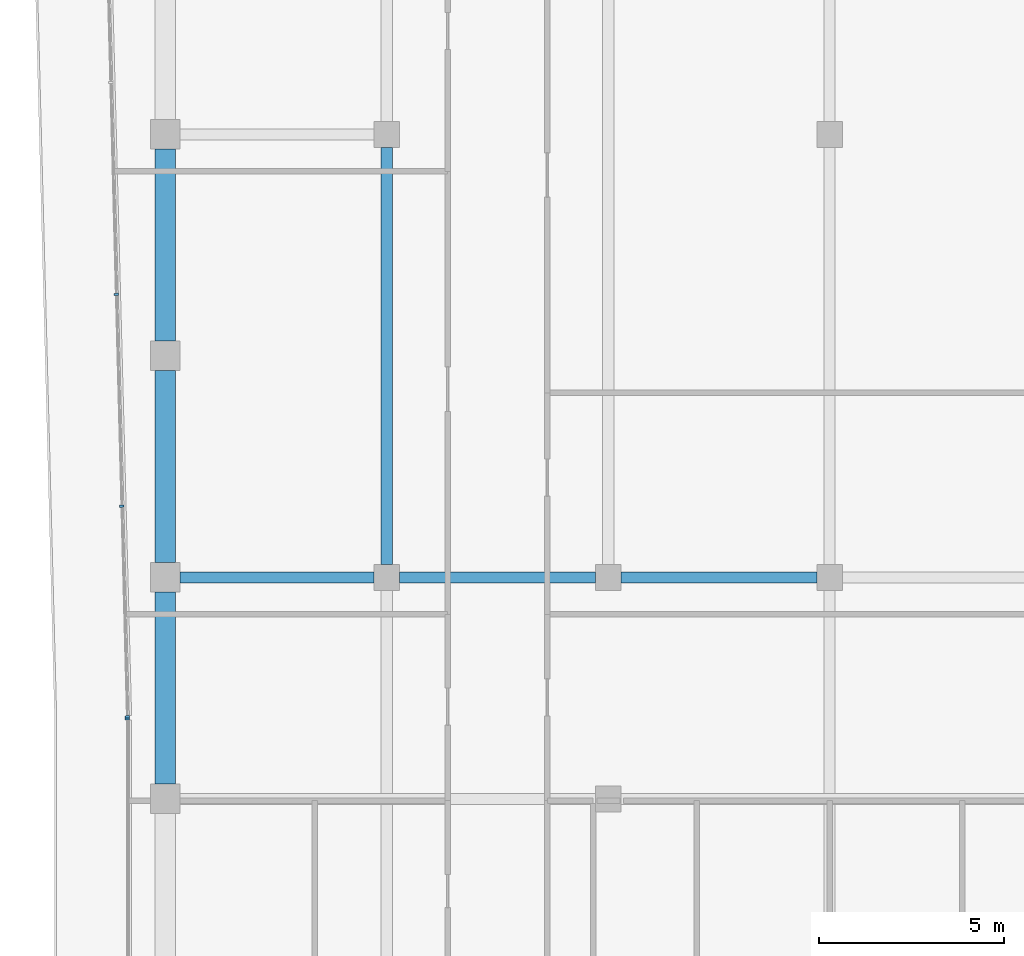
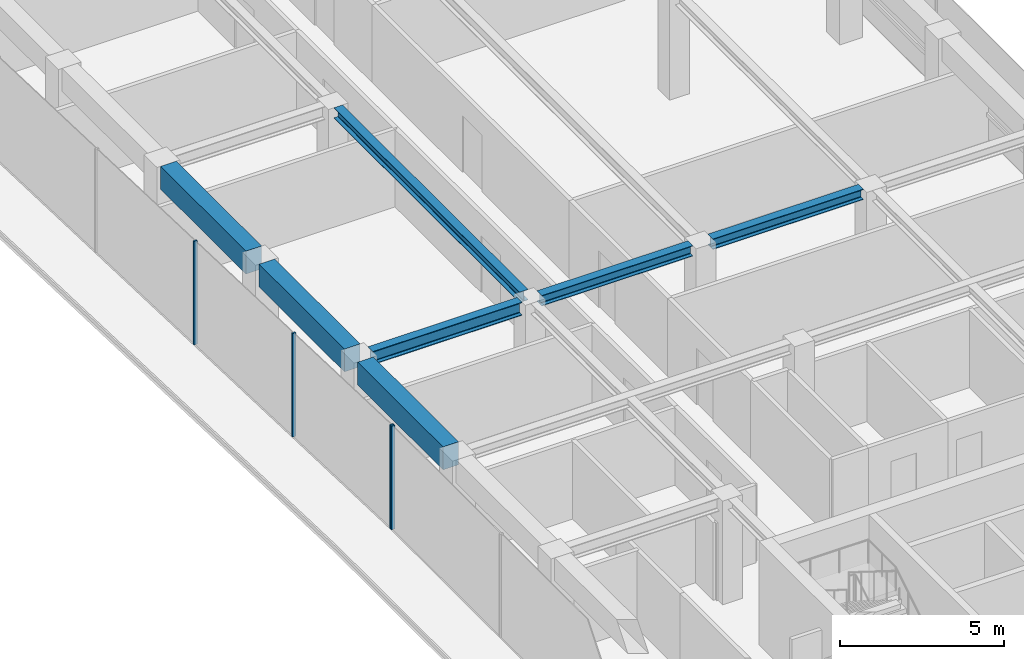
# One storey, part 7 of 20: 7 beams, 4 members, 2 elements without a shape of their own.
"""IFC4 building model written with IfcOpenShell, lengths in metres."""

from ifc_helpers import new_model, si_unit, direction, frame, origin, origin_2d, place, context, subcontext, project, spatial, rectangle, i_section, extrude, material, layer, layer_set, material_profile, profile_set, type_object, element, aggregate, save


model = new_model("IFC4")

# Units and contexts
model_context = context("Model", 3, precision=1e-05, world=origin(), true_north=direction((0.0, 1.0)))
body_context = subcontext(model_context, "Body", "Model", "MODEL_VIEW")
ifc_project = project(units=[si_unit("LENGTHUNIT", "METRE"), si_unit("AREAUNIT", "SQUARE_METRE"), si_unit("VOLUMEUNIT", "CUBIC_METRE"), si_unit("PLANEANGLEUNIT", "RADIAN"), si_unit("MASSUNIT", "GRAM", prefix="KILO")], contexts=[model_context])

# Site, building, storey
site_placement = place(None, origin())
site = spatial("IfcSite", under=ifc_project, at=site_placement, CompositionType="ELEMENT")
building_placement = place(site_placement, origin())
building = spatial("IfcBuilding", under=site, at=building_placement, Name="Welwitschia Terrace Campus", CompositionType="ELEMENT")
storey_placement = place(building_placement, frame((0.0, 0.0, 222.199951171875)))
storey = spatial("IfcBuildingStorey", under=building, at=storey_placement, Name="L49", CompositionType="ELEMENT", Elevation=222.199951171875)

# Beams
ifc_material_1 = material(Name="Steel S355", Category="steel")
ifc_material_profile_1 = material_profile(ifc_material_1, i_section(OverallWidth=0.300048828125, OverallDepth=0.389892578125, WebThickness=0.010986328125, FlangeThickness=0.01904296875, FilletRadius=0.027099609375, at=origin_2d()))
ifc_profile_set_1 = profile_set([ifc_material_profile_1], Name="Steel S355")
beam_type_1 = type_object("IfcBeamType", Name="Interior girder HE 400 A", PredefinedType="BEAM", material=ifc_profile_set_1)
for number, where, z_axis, x_axis, name in (
    (1, (6.3505859375, 40.0, 3.655029296875), (1.0, 0.0, 0.0), (0.0, 1.0, 0.0), "Girder GB5"),
    (2, (12.3505859375, 40.0, 3.655029296875), (1.0, 0.0, 0.0), (0.0, 1.0, 0.0), "Girder GB5"),
):
    element("IfcBeam", number, at=place(storey_placement, frame(where, z_axis=z_axis, x_axis=x_axis)), inside=storey, type_object=beam_type_1, Name=name, PredefinedType="BEAM", context=body_context, shape_type="SweptSolid", body=[
        extrude(i_section(OverallWidth=0.300048828125, OverallDepth=0.389892578125, WebThickness=0.010986328125, FlangeThickness=0.01904296875, FilletRadius=0.027099609375, at=origin_2d()), origin(), (0.0, 0.0, 1.0), 5.298828125),
    ])
beam_1_placement = place(storey_placement, frame((6.0, 40.3505859375, 3.655029296875), z_axis=(0.0, 1.0, 0.0), x_axis=(-1.0, 0.0, 0.0)))
element("IfcBeam", 3, at=beam_1_placement, inside=storey, type_object=beam_type_1, Name="Girder GB5", PredefinedType="BEAM", context=body_context, shape_type="SweptSolid", body=[
    extrude(i_section(OverallWidth=0.300048828125, OverallDepth=0.389892578125, WebThickness=0.010986328125, FlangeThickness=0.01904296875, FilletRadius=0.027099609375, at=origin_2d()), origin(), (0.0, 0.0, 1.0), 11.298828125),
])

# Curtain wall, member
ifc_material_2 = material(Name="Bronze anodised aluminium", Category="aluminium")
ifc_layer = layer(ifc_material_2, 0.1201171875)
ifc_layer_set = layer_set([ifc_layer], Name="Bronze anodised aluminium")
curtain_wall_type = type_object("IfcCurtainWallType", Name="Curtain wall CW2 tower 6000", PredefinedType="NOTDEFINED", material=ifc_layer_set)
curtain_wall_1_placement = place(storey_placement, origin())
curtain_wall_1 = element("IfcCurtainWall", 4, at=curtain_wall_1_placement, inside=storey, type_object=curtain_wall_type, Name="CW L49.0.0", PredefinedType="NOTDEFINED")
ifc_material_3 = material(Name="Bronze anodised aluminium", Category="aluminium")
ifc_material_profile_2 = material_profile(ifc_material_3, rectangle(XDim=0.1201171875, YDim=0.06005859375, at=origin_2d()))
ifc_profile_set_2 = profile_set([ifc_material_profile_2], Name="Bronze anodised aluminium")
member_type = type_object("IfcMemberType", Name="Mullion 60x120", PredefinedType="MULLION", material=ifc_profile_set_2)
member_1_placement = place(storey_placement, frame((-1.030029296875, 36.16162109375, 0.0), z_axis=(0.0, 0.0, 1.0), x_axis=(1.0, 0.0, 0.0)))
member_1 = element("IfcMember", 5, at=member_1_placement, type_object=member_type, Name="Mullion L49.0.0.0", PredefinedType="MULLION", context=body_context, shape_type="SweptSolid", body=[
    extrude(rectangle(XDim=0.1201171875, YDim=0.06005859375, at=origin_2d()), origin(), (0.0, 0.0, 1.0), 3.85009765625),
])
aggregate(curtain_wall_1, [member_1])

# Curtain wall, members
curtain_wall_2_placement = place(storey_placement, origin())
curtain_wall_2 = element("IfcCurtainWall", 6, at=curtain_wall_2_placement, inside=storey, type_object=curtain_wall_type, Name="CW L49.11.0", PredefinedType="NOTDEFINED")
member_2_placement = place(storey_placement, frame((-1.33056640625, 47.666259765625, 0.0), z_axis=(0.0, 0.0, 1.0), x_axis=(0.999657324976, 0.026176948308, 0.0)))
member_2 = element("IfcMember", 7, at=member_2_placement, type_object=member_type, Name="Mullion L49.11.0.4", PredefinedType="MULLION", context=body_context, shape_type="SweptSolid", body=[
    extrude(rectangle(XDim=0.1201171875, YDim=0.06005859375, at=origin_2d()), origin(), (0.0, 0.0, 1.0), 3.85009765625),
])
member_3_placement = place(storey_placement, frame((-1.18017578125, 41.928955078125, 0.0), z_axis=(0.0, 0.0, 1.0), x_axis=(0.999657324976, 0.026176948308, 0.0)))
member_3 = element("IfcMember", 8, at=member_3_placement, type_object=member_type, Name="Mullion L49.11.0.5", PredefinedType="MULLION", context=body_context, shape_type="SweptSolid", body=[
    extrude(rectangle(XDim=0.1201171875, YDim=0.06005859375, at=origin_2d()), origin(), (0.0, 0.0, 1.0), 3.85009765625),
])
member_4_placement = place(storey_placement, frame((-1.03076171875, 36.2216796875, 0.0), z_axis=(0.0, 0.0, 1.0), x_axis=(0.999657324976, 0.026176948308, 0.0)))
member_4 = element("IfcMember", 9, at=member_4_placement, type_object=member_type, Name="Mullion L49.11.0.6", PredefinedType="MULLION", context=body_context, shape_type="SweptSolid", body=[
    extrude(rectangle(XDim=0.1201171875, YDim=0.06005859375, at=origin_2d()), origin(), (0.0, 0.0, 1.0), 3.85009765625),
])
aggregate(curtain_wall_2, [member_2, member_3, member_4])

# Beams
ifc_material_4 = material(Name="Steel S355", Category="steel")
ifc_material_profile_3 = material_profile(ifc_material_4, i_section(OverallWidth=0.300048828125, OverallDepth=0.489990234375, WebThickness=0.011962890625, FlangeThickness=0.02294921875, FilletRadius=0.027099609375, at=origin_2d()))
ifc_profile_set_3 = profile_set([ifc_material_profile_3], Name="Steel S355")
beam_type_2 = type_object("IfcBeamType", Name="Primary beam HE 500 A", PredefinedType="BEAM", material=ifc_profile_set_3)
beam_2_placement = place(storey_placement, frame((0.400390625, 40.0, 3.60498046875), z_axis=(1.0, 0.0, 0.0), x_axis=(0.0, 1.0, 0.0)))
element("IfcBeam", 10, at=beam_2_placement, inside=storey, type_object=beam_type_2, Name="Primary beam PB5", PredefinedType="BEAM", context=body_context, shape_type="SweptSolid", body=[
    extrude(i_section(OverallWidth=0.300048828125, OverallDepth=0.489990234375, WebThickness=0.011962890625, FlangeThickness=0.02294921875, FilletRadius=0.027099609375, at=origin_2d()), origin(), (0.0, 0.0, 1.0), 5.2490234375),
])
ifc_material_5 = material(Name="Concrete C50/60", Category="concrete")
ifc_material_profile_4 = material_profile(ifc_material_5, rectangle(XDim=0.550048828125, YDim=0.85009765625, at=origin_2d()))
ifc_profile_set_4 = profile_set([ifc_material_profile_4], Name="Concrete C50/60")
beam_type_3 = type_object("IfcBeamType", Name="Ring spandrel 550x850", PredefinedType="SPANDREL", material=ifc_profile_set_4)
for number, where, z_axis, x_axis, name in (
    (11, (0.0, 51.599609375, 3.425048828125), (0.0, -1.0, 0.0), (1.0, 0.0, 0.0), "Spandrel SP3"),
    (12, (0.0, 45.599609375, 3.425048828125), (0.0, -1.0, 0.0), (1.0, 0.0, 0.0), "Spandrel SP3"),
    (13, (0.0, 39.599609375, 3.425048828125), (0.0, -1.0, 0.0), (1.0, 0.0, 0.0), "Spandrel SP3"),
):
    element("IfcBeam", number, at=place(storey_placement, frame(where, z_axis=z_axis, x_axis=x_axis)), inside=storey, type_object=beam_type_3, Name=name, PredefinedType="SPANDREL", context=body_context, shape_type="SweptSolid", body=[
        extrude(rectangle(XDim=0.550048828125, YDim=0.85009765625, at=origin_2d()), origin(), (0.0, 0.0, 1.0), 5.19921875),
    ])

save(model, "model.ifc")
